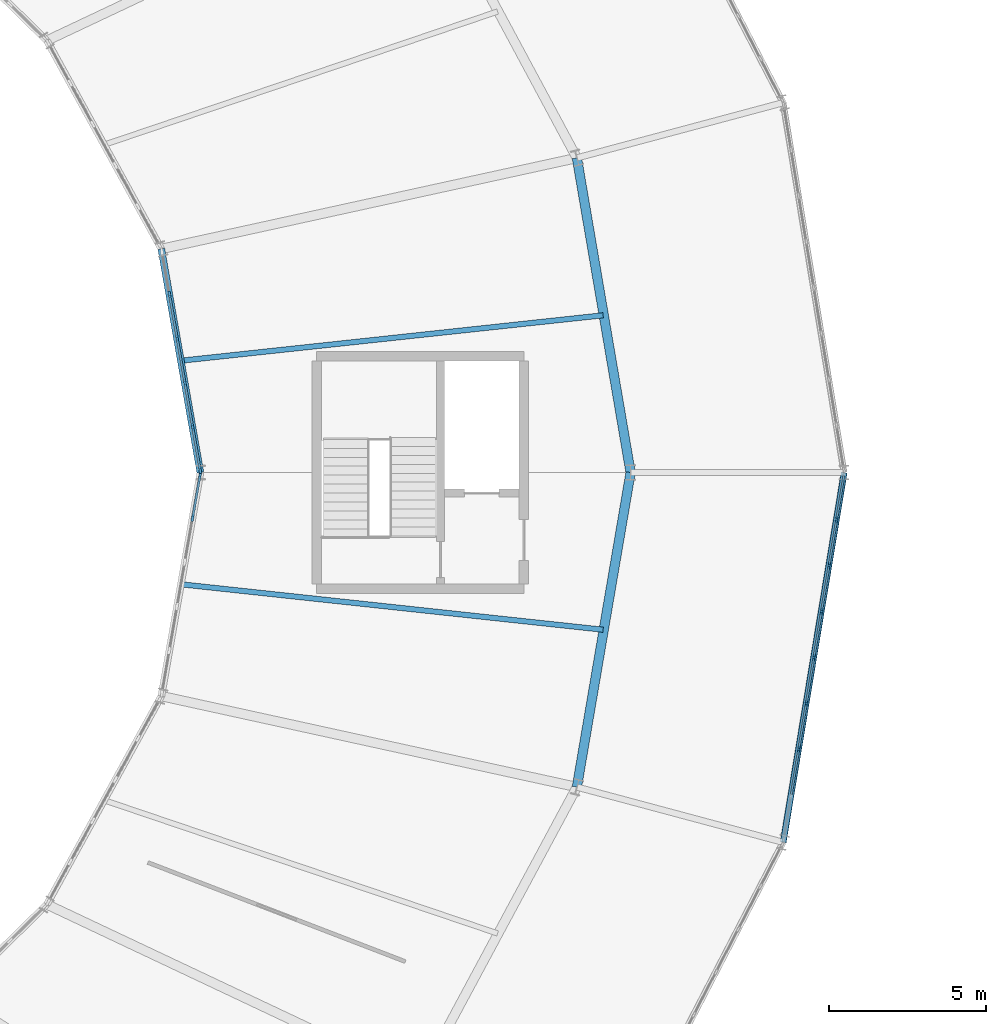
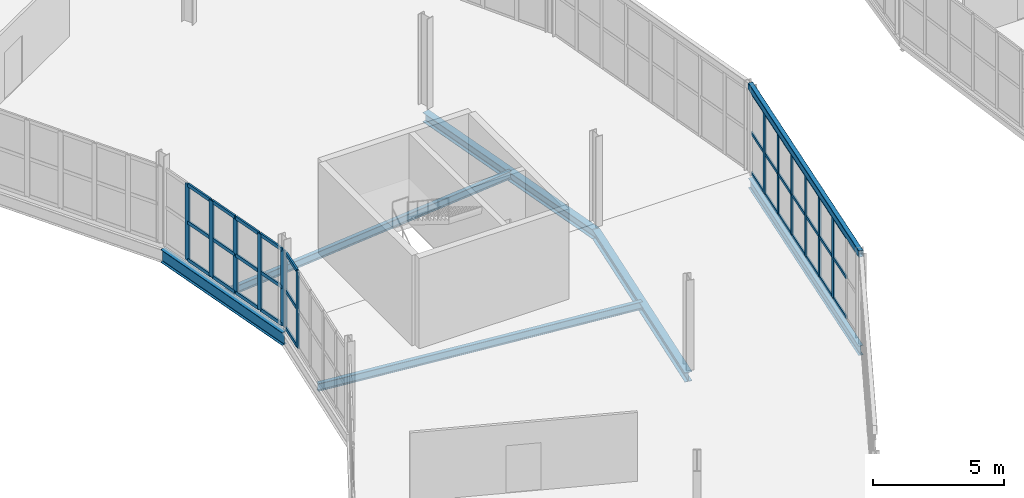
# One storey, part 80 of 161: 49 members, 7 beams, 3 elements without a shape of their own.
"""IFC4 building model written with IfcOpenShell, lengths in metres."""

import ifcopenshell
import ifcopenshell.guid

model = None  # the IFC model being written
_history = None  # IfcOwnerHistory: only IFC2X3 demands one
_inside = {}  # id of a spatial element -> (the spatial element, [elements in it])
_under = {}  # id of a project, library or spatial element -> (it, [spatial elements below it])
_declared = {}  # id of a project -> (the project, [libraries it declares])
_typed = {}  # id of a type object -> (the type object, [elements of that type])
_made_of = {}  # id of a material, layer set ... -> (it, [elements and type objects made of it])


def new_model(schema):
    """Start an empty IFC model of exactly this schema.

    Asked for "IFC4X3", IfcOpenShell would pick the latest addendum, in which some entities
    have other attributes; the version numbers below select the first issue.
    IFC2X3 requires an IfcOwnerHistory on every rooted entity: one is made here for all.
    """
    global model, _history
    if schema == "IFC4X3":
        model = ifcopenshell.file(schema_version=(4, 3, 0, 0))
    else:
        model = ifcopenshell.file(schema=schema)
    _inside.clear()
    _under.clear()
    _declared.clear()
    _typed.clear()
    _made_of.clear()
    _history = None
    if model.schema == "IFC2X3":
        org = make("IfcOrganization", Name="unknown")
        user = make(
            "IfcPersonAndOrganization",
            ThePerson=make("IfcPerson", FamilyName="unknown"),
            TheOrganization=org,
        )
        app = make(
            "IfcApplication",
            ApplicationDeveloper=org,
            Version="unknown",
            ApplicationFullName="unknown",
            ApplicationIdentifier="unknown",
        )
        _history = make(
            "IfcOwnerHistory",
            OwningUser=user,
            OwningApplication=app,
            ChangeAction="ADDED",
            CreationDate=0,
        )
    return model


def make(cls, **values):
    """One entity of the class cls with the attributes given. An attribute that is None is left unset."""
    return model.create_entity(
        cls, **{name: value for name, value in values.items() if value is not None}
    )


def rooted(cls, **values):
    """An entity with a GlobalId (a new one), such as an element, a storey or a relation."""
    return make(cls, GlobalId=ifcopenshell.guid.new(), OwnerHistory=_history, **values)


def si_unit(unit_type, name, prefix=None):
    """IfcSIUnit, for example si_unit("LENGTHUNIT", "METRE", prefix="MILLI")."""
    return make("IfcSIUnit", UnitType=unit_type, Prefix=prefix, Name=name)


def assignment(units):
    """IfcUnitAssignment: the units of a project."""
    return None if units is None else make("IfcUnitAssignment", Units=units)


def point(xyz):
    """IfcCartesianPoint."""
    return None if xyz is None else make("IfcCartesianPoint", Coordinates=xyz)


def direction(xyz):
    """IfcDirection."""
    return None if xyz is None else make("IfcDirection", DirectionRatios=xyz)


def frame(location, z_axis=None, x_axis=None):
    """IfcAxis2Placement3D, a coordinate frame: its origin and axes. An axis left out is left unset."""
    return make(
        "IfcAxis2Placement3D",
        Location=point(location),
        Axis=direction(z_axis),
        RefDirection=direction(x_axis),
    )


def frame_2d(location, x_axis=None):
    """IfcAxis2Placement2D, a coordinate frame in the plane: its origin and x axis."""
    return make(
        "IfcAxis2Placement2D", Location=point(location), RefDirection=direction(x_axis)
    )


def origin():
    """The frame at (0, 0, 0) with its axes left unset."""
    return frame((0.0, 0.0, 0.0))


def origin_2d():
    """The frame at (0, 0) in the plane with its x axis left unset."""
    return frame_2d((0.0, 0.0))


def place(relative_to, where):
    """IfcLocalPlacement: puts the frame where relative to a parent placement (None: the world)."""
    return make(
        "IfcLocalPlacement", PlacementRelTo=relative_to, RelativePlacement=where
    )


def context(
    kind, dimensions, precision=None, world=None, true_north=None, identifier=None
):
    """IfcGeometricRepresentationContext, for example the 3D "Model" context."""
    return make(
        "IfcGeometricRepresentationContext",
        ContextIdentifier=identifier,
        ContextType=kind,
        CoordinateSpaceDimension=dimensions,
        Precision=precision,
        WorldCoordinateSystem=world,
        TrueNorth=true_north,
    )


def subcontext(parent, identifier, kind, view, scale=None):
    """IfcGeometricRepresentationSubContext, for example "Body" below "Model"."""
    return make(
        "IfcGeometricRepresentationSubContext",
        ContextIdentifier=identifier,
        ContextType=kind,
        ParentContext=parent,
        TargetScale=scale,
        TargetView=view,
    )


def project(units=None, contexts=None):
    """IfcProject with its units and contexts."""
    return rooted(
        "IfcProject",
        Name="project",
        RepresentationContexts=contexts,
        UnitsInContext=assignment(units),
    )


def spatial(cls, under=None, at=None, **own):
    """A site, building, storey or space (cls), placed at a placement, below another one or the project."""
    s = rooted(cls, ObjectPlacement=at, **own)
    if under is not None:
        _under.setdefault(under.id(), (under, []))[1].append(s)
    return s


def profile(cls, at=None, kind="AREA", **sizes):
    """A parametric profile (cls). Its sizes go by their IFC names, for example OverallWidth=200.0."""
    return make(cls, ProfileType=kind, Position=at, **sizes)


def rectangle(**sizes):
    """IfcRectangleProfileDef."""
    return profile("IfcRectangleProfileDef", **sizes)


def hollow_rectangle(**sizes):
    """IfcRectangleHollowProfileDef."""
    return profile("IfcRectangleHollowProfileDef", **sizes)


def i_section(**sizes):
    """IfcIShapeProfileDef."""
    return profile("IfcIShapeProfileDef", **sizes)


def extrude(swept, where, along, depth):
    """IfcExtrudedAreaSolid: the profile swept, set in the frame where, extruded along a direction by depth."""
    return make(
        "IfcExtrudedAreaSolid",
        SweptArea=swept,
        Position=where,
        ExtrudedDirection=direction(along),
        Depth=depth,
    )


def shape(context_of_items, identifier, shape_type, items):
    """IfcShapeRepresentation: the items that make up one representation, for example the "Body"."""
    return make(
        "IfcShapeRepresentation",
        ContextOfItems=context_of_items,
        RepresentationIdentifier=identifier,
        RepresentationType=shape_type,
        Items=items,
    )


def material(Name=None, Category=None):
    """IfcMaterial."""
    return make("IfcMaterial", Name=Name, Category=Category)


def material_profile(
    of_material, cross_section, Name=None, Category=None, Priority=None
):
    """IfcMaterialProfile: a cross section and its material."""
    return make(
        "IfcMaterialProfile",
        Name=Name,
        Material=of_material,
        Profile=cross_section,
        Priority=Priority,
        Category=Category,
    )


def profile_set(profiles, Name=None, composite=None):
    """IfcMaterialProfileSet."""
    return make(
        "IfcMaterialProfileSet",
        Name=Name,
        MaterialProfiles=profiles,
        CompositeProfile=composite,
    )


def made_of(thing, what):
    """Note that an element or type object is made of a material, layer set ...; save() writes the relation."""
    if what is not None:
        _made_of.setdefault(what.id(), (what, []))[1].append(thing)
    return thing


def type_object(cls, material=None, **own):
    """A type object (cls), such as IfcWallType, which elements share."""
    return made_of(rooted(cls, **own), material)


def element(
    cls,
    number,
    at=None,
    inside=None,
    cuts=None,
    type_object=None,
    material=None,
    context=None,
    identifier="Body",
    shape_type=None,
    held_by="IfcProductDefinitionShape",
    body=None,
    shapes=None,
    **own,
):
    """One element of the class cls, such as IfcWall. Its Tag is "e" and its number.

    at: its placement. inside: the storey or other place that contains it. cuts: it is an
    opening in that element (IfcRelVoidsElement). A single representation is given by context,
    identifier, shape_type and body (its items); several are given by shapes. held_by: the class
    of the entity that holds the representations. save() writes the other relations.
    """
    e = rooted(cls, Tag="e%d" % number, ObjectPlacement=at, **own)
    if body is not None:
        shapes = [shape(context, identifier, shape_type, body)]
    if shapes is not None:
        e.Representation = make(held_by, Representations=shapes)
    if inside is not None:
        _inside.setdefault(inside.id(), (inside, []))[1].append(e)
    if cuts is not None:
        rooted(
            "IfcRelVoidsElement", RelatingBuildingElement=cuts, RelatedOpeningElement=e
        )
    if type_object is not None:
        _typed.setdefault(type_object.id(), (type_object, []))[1].append(e)
    return made_of(e, material)


def aggregate(whole, parts):
    """IfcRelAggregates: a whole, such as a stair, and the parts it consists of."""
    return rooted("IfcRelAggregates", RelatingObject=whole, RelatedObjects=parts)


def save(model, path):
    """Write the relations noted so far, then the file.

    IfcRelAggregates (storeys below a building ...), IfcRelContainedInSpatialStructure (elements
    in a storey), IfcRelDefinesByType, IfcRelAssociatesMaterial and IfcRelDeclares: one each for
    every whole, place, type object, material and project.
    """
    for whole, parts in _under.values():
        aggregate(whole, parts)
    for where, things in _inside.values():
        rooted(
            "IfcRelContainedInSpatialStructure",
            RelatedElements=things,
            RelatingStructure=where,
        )
    for kind, things in _typed.values():
        rooted("IfcRelDefinesByType", RelatedObjects=things, RelatingType=kind)
    for what, things in _made_of.values():
        rooted("IfcRelAssociatesMaterial", RelatedObjects=things, RelatingMaterial=what)
    for by, libraries in _declared.values():
        rooted("IfcRelDeclares", RelatingContext=by, RelatedDefinitions=libraries)
    model.write(path)


model = new_model("IFC4")

# Units and contexts
model_context = context("Model", 3, precision=1e-05, world=origin(), true_north=direction((0.0, 1.0)))
body_context = subcontext(model_context, "Body", "Model", "MODEL_VIEW")
ifc_project = project(units=[si_unit("LENGTHUNIT", "METRE"), si_unit("AREAUNIT", "SQUARE_METRE"), si_unit("VOLUMEUNIT", "CUBIC_METRE"), si_unit("PLANEANGLEUNIT", "RADIAN"), si_unit("MASSUNIT", "GRAM", prefix="KILO")], contexts=[model_context])

# Site, building, storey
site_placement = place(None, origin())
site = spatial("IfcSite", under=ifc_project, at=site_placement, CompositionType="ELEMENT")
building_placement = place(site_placement, origin())
building = spatial("IfcBuilding", under=site, at=building_placement, Name="Kildeholm Park Wholesale Market", CompositionType="ELEMENT")
storey_placement = place(building_placement, frame((0.0, 0.0, 5.39990234375)))
storey = spatial("IfcBuildingStorey", under=building, at=storey_placement, Name="L01", CompositionType="ELEMENT", Elevation=5.39990234375)

# Beams
ifc_material_1 = material(Name="Steel S355", Category="steel")
ifc_material_profile_1 = material_profile(ifc_material_1, i_section(OverallWidth=0.18994140625, OverallDepth=0.449951171875, WebThickness=0.009521484375, FlangeThickness=0.0146484375, FilletRadius=0.02099609375, at=origin_2d()), Name="IPE 450")
ifc_profile_set_1 = profile_set([ifc_material_profile_1], Name="Steel S355")
beam_type_1 = type_object("IfcBeamType", Name="Beam B-P02 IPE 450", PredefinedType="BEAM", material=ifc_profile_set_1)
beam_1_placement = place(storey_placement, frame((154.05810546875, 77.72412109375, -0.474853515625), z_axis=(0.162706979486, 0.98667443406, 0.0), x_axis=(-0.98667443406, 0.162706979486, 0.0)))
element("IfcBeam", 1, at=beam_1_placement, inside=storey, type_object=beam_type_1, Name="Beam BM-V1-L01-CO-23 BM-0215", PredefinedType="BEAM", context=body_context, shape_type="SweptSolid", body=[
    extrude(i_section(OverallWidth=0.18994140625, OverallDepth=0.449951171875, WebThickness=0.009521484375, FlangeThickness=0.0146484375, FilletRadius=0.02099609375, at=origin_2d()), origin(), (0.0, 0.0, 1.0), 11.934814453125),
])
ifc_material_profile_2 = material_profile(ifc_material_1, i_section(OverallWidth=0.219970703125, OverallDepth=0.60009765625, WebThickness=0.011962890625, FlangeThickness=0.01904296875, FilletRadius=0.02392578125, at=origin_2d()), Name="IPE 600")
ifc_profile_set_2 = profile_set([ifc_material_profile_2], Name="Steel S355")
beam_type_2 = type_object("IfcBeamType", Name="Beam B-P04 IPE 600", PredefinedType="BEAM", material=ifc_profile_set_2)
beam_2_placement = place(storey_placement, frame((135.5, 89.5, -0.5498046875), z_axis=(-0.172146745201, 0.985071316259, 0.0), x_axis=(-0.985071316259, -0.172146745201, 0.0)))
element("IfcBeam", 2, at=beam_2_placement, inside=storey, type_object=beam_type_2, Name="Beam BM-V1-L01-CI-00 BM-0002", PredefinedType="BEAM", context=body_context, shape_type="SweptSolid", body=[
    extrude(i_section(OverallWidth=0.219970703125, OverallDepth=0.60009765625, WebThickness=0.011962890625, FlangeThickness=0.01904296875, FilletRadius=0.02392578125, at=origin_2d()), origin(), (0.0, 0.0, 1.0), 7.225830078125),
])
ifc_material_profile_3 = material_profile(ifc_material_1, i_section(OverallWidth=0.300048828125, OverallDepth=0.43994140625, WebThickness=0.011474609375, FlangeThickness=0.02099609375, FilletRadius=0.027099609375, at=origin_2d()), Name="HEA 450")
ifc_profile_set_3 = profile_set([ifc_material_profile_3], Name="Steel S355")
beam_type_3 = type_object("IfcBeamType", Name="Beam B-R02 HEA 450", PredefinedType="BEAM", material=ifc_profile_set_3)
for number, where, z_axis, x_axis, name in (
    (3, (149.199951171875, 89.5, -0.469970703125), (-0.168379597692, 0.985722228156, 0.0), (-0.985722228156, -0.168379597692, 0.0), "Beam BM-V1-L01-CM-00 BM-0003"),
    (4, (147.489013671875, 79.48388671875, -0.469970703125), (0.168379597692, 0.985722228156, 0.0), (-0.985722228156, 0.168379597692, 0.0), "Beam BM-V1-L01-CM-23 BM-0214"),
):
    element("IfcBeam", number, at=place(storey_placement, frame(where, z_axis=z_axis, x_axis=x_axis)), inside=storey, type_object=beam_type_3, Name=name, PredefinedType="BEAM", context=body_context, shape_type="SweptSolid", body=[
        extrude(i_section(OverallWidth=0.300048828125, OverallDepth=0.43994140625, WebThickness=0.011474609375, FlangeThickness=0.02099609375, FilletRadius=0.027099609375, at=origin_2d()), origin(), (0.0, 0.0, 1.0), 10.1611328125),
    ])
ifc_material_profile_4 = material_profile(ifc_material_1, i_section(OverallWidth=0.169921875, OverallDepth=0.360107421875, WebThickness=0.008056640625, FlangeThickness=0.0126953125, FilletRadius=0.01806640625, at=origin_2d()), Name="IPE 360")
ifc_profile_set_4 = profile_set([ifc_material_profile_4], Name="Steel S355")
beam_type_4 = type_object("IfcBeamType", Name="Beam J-04 IPE 360", PredefinedType="JOIST", material=ifc_profile_set_4)
for number, where, z_axis, x_axis, name in (
    (5, (134.89794921875, 93.06103515625, -0.429931640625), (0.994260078886, 0.106990165591, 0.0), (-0.106990165591, 0.994260078886, 0.0), "Beam JT-V1-L01-00 BM-0007"),
    (6, (134.89794921875, 85.93896484375, -0.429931640625), (0.994260078886, -0.106990165591, 0.0), (0.106990165591, 0.994260078886, 0.0), "Beam JT-V1-L01-23 BM-0218"),
):
    element("IfcBeam", number, at=place(storey_placement, frame(where, z_axis=z_axis, x_axis=x_axis)), inside=storey, type_object=beam_type_4, Name=name, PredefinedType="JOIST", context=body_context, shape_type="SweptSolid", body=[
        extrude(i_section(OverallWidth=0.169921875, OverallDepth=0.360107421875, WebThickness=0.008056640625, FlangeThickness=0.0126953125, FilletRadius=0.01806640625, at=origin_2d()), origin(), (0.0, 0.0, 1.0), 13.504150390625),
    ])
ifc_material_profile_5 = material_profile(ifc_material_1, hollow_rectangle(XDim=0.199951171875, YDim=0.300048828125, WallThickness=0.012451171875, InnerFilletRadius=0.012451171875, OuterFilletRadius=0.02490234375, at=origin_2d()), Name="RHS 300x200x12.5")
ifc_profile_set_5 = profile_set([ifc_material_profile_5], Name="Steel S355")
beam_type_5 = type_object("IfcBeamType", Name="Beam SP-01 RHS 300x200x12.5", PredefinedType="SPANDREL", material=ifc_profile_set_5)
beam_3_placement = place(storey_placement, frame((154.05810546875, 77.72412109375, 4.02294921875), z_axis=(0.162706979486, 0.98667443406, 0.0), x_axis=(-0.98667443406, 0.162706979486, 0.0)))
element("IfcBeam", 7, at=beam_3_placement, inside=storey, type_object=beam_type_5, Name="Beam SP-V1-EAV-23 BM-0358", PredefinedType="SPANDREL", context=body_context, shape_type="SweptSolid", body=[
    extrude(hollow_rectangle(XDim=0.199951171875, YDim=0.300048828125, WallThickness=0.012451171875, InnerFilletRadius=0.012451171875, OuterFilletRadius=0.02490234375, at=origin_2d()), origin(), (0.0, 0.0, 1.0), 11.934814453125),
])

# Curtain wall, members
ifc_material_2 = material(Name="Anodised aluminium and low-E double-glazed glass", Category="aluminium")
curtain_wall_type = type_object("IfcCurtainWallType", Name="Market hall glazed arcade stick curtain wall CW-01", PredefinedType="NOTDEFINED", material=ifc_material_2)
curtain_wall_1_placement = place(storey_placement, origin())
curtain_wall_1 = element("IfcCurtainWall", 8, at=curtain_wall_1_placement, inside=storey, type_object=curtain_wall_type, Name="Curtain wall CW-V1-OT-23-1 CW-0114", PredefinedType="NOTDEFINED")
ifc_material_3 = material(Name="Anodised aluminium", Category="aluminium")
ifc_material_profile_6 = material_profile(ifc_material_3, rectangle(XDim=0.06494140625, YDim=0.179931640625, at=origin_2d()), Name="CWM 65x180")
ifc_profile_set_6 = profile_set([ifc_material_profile_6], Name="Anodised aluminium")
member_type_1 = type_object("IfcMemberType", Name="Curtain-wall mullion CWM-1 CWM 65x180", PredefinedType="MULLION", material=ifc_profile_set_6)
member_1_placement = place(storey_placement, frame((154.55322265625, 80.6865234375, 0.0), z_axis=(0.0, 0.0, 1.0), x_axis=(-0.98667513756, 0.162702713317, 0.0)))
member_1 = element("IfcMember", 9, at=member_1_placement, type_object=member_type_1, Name="CW-01 mullion 3 MEM-3525", PredefinedType="MULLION", context=body_context, shape_type="SweptSolid", body=[
    extrude(rectangle(XDim=0.06494140625, YDim=0.179931640625, at=origin_2d()), origin(), (0.0, 0.0, 1.0), 3.800048828125),
])
member_2_placement = place(storey_placement, frame((154.79443359375, 82.148681640625, 0.0), z_axis=(0.0, 0.0, 1.0), x_axis=(-0.98667513756, 0.162702713317, 0.0)))
member_2 = element("IfcMember", 10, at=member_2_placement, type_object=member_type_1, Name="CW-01 mullion 4 MEM-3526", PredefinedType="MULLION", context=body_context, shape_type="SweptSolid", body=[
    extrude(rectangle(XDim=0.06494140625, YDim=0.179931640625, at=origin_2d()), origin(), (0.0, 0.0, 1.0), 3.800048828125),
])
member_3_placement = place(storey_placement, frame((155.035400390625, 83.611083984375, 0.0), z_axis=(0.0, 0.0, 1.0), x_axis=(-0.98667513756, 0.162702713317, 0.0)))
member_3 = element("IfcMember", 11, at=member_3_placement, type_object=member_type_1, Name="CW-01 mullion 5 MEM-3527", PredefinedType="MULLION", context=body_context, shape_type="SweptSolid", body=[
    extrude(rectangle(XDim=0.06494140625, YDim=0.179931640625, at=origin_2d()), origin(), (0.0, 0.0, 1.0), 3.800048828125),
])
member_4_placement = place(storey_placement, frame((155.276611328125, 85.0732421875, 0.0), z_axis=(0.0, 0.0, 1.0), x_axis=(-0.98667513756, 0.162702713317, 0.0)))
member_4 = element("IfcMember", 12, at=member_4_placement, type_object=member_type_1, Name="CW-01 mullion 6 MEM-3528", PredefinedType="MULLION", context=body_context, shape_type="SweptSolid", body=[
    extrude(rectangle(XDim=0.06494140625, YDim=0.179931640625, at=origin_2d()), origin(), (0.0, 0.0, 1.0), 3.800048828125),
])
member_5_placement = place(storey_placement, frame((155.517822265625, 86.535400390625, 0.0), z_axis=(0.0, 0.0, 1.0), x_axis=(-0.98667513756, 0.162702713317, 0.0)))
member_5 = element("IfcMember", 13, at=member_5_placement, type_object=member_type_1, Name="CW-01 mullion 7 MEM-3529", PredefinedType="MULLION", context=body_context, shape_type="SweptSolid", body=[
    extrude(rectangle(XDim=0.06494140625, YDim=0.179931640625, at=origin_2d()), origin(), (0.0, 0.0, 1.0), 3.800048828125),
])
member_6_placement = place(storey_placement, frame((155.7587890625, 87.997802734375, 0.0), z_axis=(0.0, 0.0, 1.0), x_axis=(-0.98667513756, 0.162702713317, 0.0)))
member_6 = element("IfcMember", 14, at=member_6_placement, type_object=member_type_1, Name="CW-01 mullion 8 MEM-3530", PredefinedType="MULLION", context=body_context, shape_type="SweptSolid", body=[
    extrude(rectangle(XDim=0.06494140625, YDim=0.179931640625, at=origin_2d()), origin(), (0.0, 0.0, 1.0), 3.800048828125),
])

curtain_wall_2_placement = place(storey_placement, origin())
curtain_wall_2 = element("IfcCurtainWall", 15, at=curtain_wall_2_placement, inside=storey, type_object=curtain_wall_type, Name="Curtain wall CW-V1-IN1-00 CW-0004", PredefinedType="NOTDEFINED")
ifc_material_profile_7 = material_profile(ifc_material_3, rectangle(XDim=0.074951171875, YDim=0.219970703125, at=origin_2d()), Name="CWM 75x220")
ifc_profile_set_7 = profile_set([ifc_material_profile_7], Name="Anodised aluminium")
member_type_2 = type_object("IfcMemberType", Name="Curtain-wall mullion CWM-2 CWM 75x220", PredefinedType="MULLION", material=ifc_profile_set_7)
member_7_placement = place(storey_placement, frame((135.49365234375, 89.576904296875, 0.0), z_axis=(0.0, 0.0, 1.0), x_axis=(-0.985073802851, -0.172132515628, 0.0)))
member_7 = element("IfcMember", 16, at=member_7_placement, type_object=member_type_2, Name="CW-01 mullion 1 MEM-0477", PredefinedType="MULLION", context=body_context, shape_type="SweptSolid", body=[
    extrude(rectangle(XDim=0.074951171875, YDim=0.219970703125, at=origin_2d()), origin(), (0.0, 0.0, 1.0), 3.550048828125),
])
member_8_placement = place(storey_placement, frame((135.25390625, 90.94775390625, 0.0), z_axis=(0.0, 0.0, 1.0), x_axis=(-0.985073802851, -0.172132515628, 0.0)))
member_8 = element("IfcMember", 17, at=member_8_placement, type_object=member_type_2, Name="CW-01 mullion 2 MEM-0478", PredefinedType="MULLION", context=body_context, shape_type="SweptSolid", body=[
    extrude(rectangle(XDim=0.074951171875, YDim=0.219970703125, at=origin_2d()), origin(), (0.0, 0.0, 1.0), 3.550048828125),
])
member_9_placement = place(storey_placement, frame((135.008056640625, 92.355712890625, 0.0), z_axis=(0.0, 0.0, 1.0), x_axis=(-0.985073802851, -0.172132515628, 0.0)))
member_9 = element("IfcMember", 18, at=member_9_placement, type_object=member_type_2, Name="CW-01 mullion 3 MEM-0479", PredefinedType="MULLION", context=body_context, shape_type="SweptSolid", body=[
    extrude(rectangle(XDim=0.074951171875, YDim=0.219970703125, at=origin_2d()), origin(), (0.0, 0.0, 1.0), 3.550048828125),
])
member_10_placement = place(storey_placement, frame((134.761962890625, 93.763427734375, 0.0), z_axis=(0.0, 0.0, 1.0), x_axis=(-0.985073802851, -0.172132515628, 0.0)))
member_10 = element("IfcMember", 19, at=member_10_placement, type_object=member_type_2, Name="CW-01 mullion 4 MEM-0480", PredefinedType="MULLION", context=body_context, shape_type="SweptSolid", body=[
    extrude(rectangle(XDim=0.074951171875, YDim=0.219970703125, at=origin_2d()), origin(), (0.0, 0.0, 1.0), 3.550048828125),
])
member_11_placement = place(storey_placement, frame((134.51611328125, 95.171142578125, 0.0), z_axis=(0.0, 0.0, 1.0), x_axis=(-0.985073802851, -0.172132515628, 0.0)))
member_11 = element("IfcMember", 20, at=member_11_placement, type_object=member_type_2, Name="CW-01 mullion 5 MEM-0481", PredefinedType="MULLION", context=body_context, shape_type="SweptSolid", body=[
    extrude(rectangle(XDim=0.074951171875, YDim=0.219970703125, at=origin_2d()), origin(), (0.0, 0.0, 1.0), 3.550048828125),
])

curtain_wall_3_placement = place(storey_placement, origin())
curtain_wall_3 = element("IfcCurtainWall", 21, at=curtain_wall_3_placement, inside=storey, type_object=curtain_wall_type, Name="Curtain wall CW-V1-IN1-23 CW-0117", PredefinedType="NOTDEFINED")
member_12_placement = place(storey_placement, frame((135.25390625, 88.05224609375, 0.0), z_axis=(0.0, 0.0, 1.0), x_axis=(-0.985073802851, 0.172132515628, 0.0)))
member_12 = element("IfcMember", 22, at=member_12_placement, type_object=member_type_2, Name="CW-01 mullion 5 MEM-3610", PredefinedType="MULLION", context=body_context, shape_type="SweptSolid", body=[
    extrude(rectangle(XDim=0.074951171875, YDim=0.219970703125, at=origin_2d()), origin(), (0.0, 0.0, 1.0), 3.550048828125),
])
member_13_placement = place(storey_placement, frame((135.49365234375, 89.423095703125, 0.0), z_axis=(0.0, 0.0, 1.0), x_axis=(-0.985073802851, 0.172132515628, 0.0)))
member_13 = element("IfcMember", 23, at=member_13_placement, type_object=member_type_2, Name="CW-01 mullion 6 MEM-3611", PredefinedType="MULLION", context=body_context, shape_type="SweptSolid", body=[
    extrude(rectangle(XDim=0.074951171875, YDim=0.219970703125, at=origin_2d()), origin(), (0.0, 0.0, 1.0), 3.550048828125),
])

# Member
ifc_material_profile_8 = material_profile(ifc_material_3, rectangle(XDim=0.06494140625, YDim=0.139892578125, at=origin_2d()), Name="CWT 65x140")
ifc_profile_set_8 = profile_set([ifc_material_profile_8], Name="Anodised aluminium")
member_type_3 = type_object("IfcMemberType", Name="Curtain-wall transom CWT-1 CWT 65x140", PredefinedType="USERDEFINED", material=ifc_profile_set_8)
member_14_placement = place(storey_placement, frame((154.3173828125, 79.25634765625, 0.03271484375), z_axis=(0.162638607798, 0.98668570642, 0.0), x_axis=(-0.98668570642, 0.162638607798, 0.0)))
member_14 = element("IfcMember", 24, at=member_14_placement, type_object=member_type_3, Name="CW-01 transom 2.1 MEM-3535", ObjectType="TRANSOM", PredefinedType="USERDEFINED", context=body_context, shape_type="SweptSolid", body=[
    extrude(rectangle(XDim=0.06494140625, YDim=0.139892578125, at=origin_2d()), origin(), (0.0, 0.0, 1.0), 1.4169921875),
])

member_15_placement = place(storey_placement, frame((154.3173828125, 79.25634765625, 1.900146484375), z_axis=(0.162638607798, 0.98668570642, 0.0), x_axis=(-0.98668570642, 0.162638607798, 0.0)))
member_15 = element("IfcMember", 25, at=member_15_placement, type_object=member_type_3, Name="CW-01 transom 2.2 MEM-3536", ObjectType="TRANSOM", PredefinedType="USERDEFINED", context=body_context, shape_type="SweptSolid", body=[
    extrude(rectangle(XDim=0.06494140625, YDim=0.139892578125, at=origin_2d()), origin(), (0.0, 0.0, 1.0), 1.4169921875),
])

member_16_placement = place(storey_placement, frame((154.3173828125, 79.25634765625, 3.767578125), z_axis=(0.162638607798, 0.98668570642, 0.0), x_axis=(-0.98668570642, 0.162638607798, 0.0)))
member_16 = element("IfcMember", 26, at=member_16_placement, type_object=member_type_3, Name="CW-01 transom 2.3 MEM-3537", ObjectType="TRANSOM", PredefinedType="USERDEFINED", context=body_context, shape_type="SweptSolid", body=[
    extrude(rectangle(XDim=0.06494140625, YDim=0.139892578125, at=origin_2d()), origin(), (0.0, 0.0, 1.0), 1.4169921875),
])

member_17_placement = place(storey_placement, frame((154.55859375, 80.718505859375, 0.03271484375), z_axis=(0.162638607798, 0.98668570642, 0.0), x_axis=(-0.98668570642, 0.162638607798, 0.0)))
member_17 = element("IfcMember", 27, at=member_17_placement, type_object=member_type_3, Name="CW-01 transom 3.1 MEM-3538", ObjectType="TRANSOM", PredefinedType="USERDEFINED", context=body_context, shape_type="SweptSolid", body=[
    extrude(rectangle(XDim=0.06494140625, YDim=0.139892578125, at=origin_2d()), origin(), (0.0, 0.0, 1.0), 1.4169921875),
])

member_18_placement = place(storey_placement, frame((154.55859375, 80.718505859375, 1.900146484375), z_axis=(0.162638607798, 0.98668570642, 0.0), x_axis=(-0.98668570642, 0.162638607798, 0.0)))
member_18 = element("IfcMember", 28, at=member_18_placement, type_object=member_type_3, Name="CW-01 transom 3.2 MEM-3539", ObjectType="TRANSOM", PredefinedType="USERDEFINED", context=body_context, shape_type="SweptSolid", body=[
    extrude(rectangle(XDim=0.06494140625, YDim=0.139892578125, at=origin_2d()), origin(), (0.0, 0.0, 1.0), 1.4169921875),
])

member_19_placement = place(storey_placement, frame((154.55859375, 80.718505859375, 3.767578125), z_axis=(0.162638607798, 0.98668570642, 0.0), x_axis=(-0.98668570642, 0.162638607798, 0.0)))
member_19 = element("IfcMember", 29, at=member_19_placement, type_object=member_type_3, Name="CW-01 transom 3.3 MEM-3540", ObjectType="TRANSOM", PredefinedType="USERDEFINED", context=body_context, shape_type="SweptSolid", body=[
    extrude(rectangle(XDim=0.06494140625, YDim=0.139892578125, at=origin_2d()), origin(), (0.0, 0.0, 1.0), 1.4169921875),
])

member_20_placement = place(storey_placement, frame((154.799560546875, 82.180908203125, 0.03271484375), z_axis=(0.162834009189, 0.9866534779, 0.0), x_axis=(-0.9866534779, 0.162834009189, 0.0)))
member_20 = element("IfcMember", 30, at=member_20_placement, type_object=member_type_3, Name="CW-01 transom 4.1 MEM-3541", ObjectType="TRANSOM", PredefinedType="USERDEFINED", context=body_context, shape_type="SweptSolid", body=[
    extrude(rectangle(XDim=0.06494140625, YDim=0.139892578125, at=origin_2d()), origin(), (0.0, 0.0, 1.0), 1.416748046875),
])

member_21_placement = place(storey_placement, frame((154.799560546875, 82.180908203125, 1.900146484375), z_axis=(0.162834009189, 0.9866534779, 0.0), x_axis=(-0.9866534779, 0.162834009189, 0.0)))
member_21 = element("IfcMember", 31, at=member_21_placement, type_object=member_type_3, Name="CW-01 transom 4.2 MEM-3542", ObjectType="TRANSOM", PredefinedType="USERDEFINED", context=body_context, shape_type="SweptSolid", body=[
    extrude(rectangle(XDim=0.06494140625, YDim=0.139892578125, at=origin_2d()), origin(), (0.0, 0.0, 1.0), 1.416748046875),
])

member_22_placement = place(storey_placement, frame((154.799560546875, 82.180908203125, 3.767578125), z_axis=(0.162834009189, 0.9866534779, 0.0), x_axis=(-0.9866534779, 0.162834009189, 0.0)))
member_22 = element("IfcMember", 32, at=member_22_placement, type_object=member_type_3, Name="CW-01 transom 4.3 MEM-3543", ObjectType="TRANSOM", PredefinedType="USERDEFINED", context=body_context, shape_type="SweptSolid", body=[
    extrude(rectangle(XDim=0.06494140625, YDim=0.139892578125, at=origin_2d()), origin(), (0.0, 0.0, 1.0), 1.416748046875),
])

member_23_placement = place(storey_placement, frame((155.040771484375, 83.64306640625, 0.03271484375), z_axis=(0.162638607798, 0.98668570642, 0.0), x_axis=(-0.98668570642, 0.162638607798, 0.0)))
member_23 = element("IfcMember", 33, at=member_23_placement, type_object=member_type_3, Name="CW-01 transom 5.1 MEM-3544", ObjectType="TRANSOM", PredefinedType="USERDEFINED", context=body_context, shape_type="SweptSolid", body=[
    extrude(rectangle(XDim=0.06494140625, YDim=0.139892578125, at=origin_2d()), origin(), (0.0, 0.0, 1.0), 1.4169921875),
])

member_24_placement = place(storey_placement, frame((155.040771484375, 83.64306640625, 1.900146484375), z_axis=(0.162638607798, 0.98668570642, 0.0), x_axis=(-0.98668570642, 0.162638607798, 0.0)))
member_24 = element("IfcMember", 34, at=member_24_placement, type_object=member_type_3, Name="CW-01 transom 5.2 MEM-3545", ObjectType="TRANSOM", PredefinedType="USERDEFINED", context=body_context, shape_type="SweptSolid", body=[
    extrude(rectangle(XDim=0.06494140625, YDim=0.139892578125, at=origin_2d()), origin(), (0.0, 0.0, 1.0), 1.4169921875),
])

member_25_placement = place(storey_placement, frame((155.040771484375, 83.64306640625, 3.767578125), z_axis=(0.162638607798, 0.98668570642, 0.0), x_axis=(-0.98668570642, 0.162638607798, 0.0)))
member_25 = element("IfcMember", 35, at=member_25_placement, type_object=member_type_3, Name="CW-01 transom 5.3 MEM-3546", ObjectType="TRANSOM", PredefinedType="USERDEFINED", context=body_context, shape_type="SweptSolid", body=[
    extrude(rectangle(XDim=0.06494140625, YDim=0.139892578125, at=origin_2d()), origin(), (0.0, 0.0, 1.0), 1.4169921875),
])

member_26_placement = place(storey_placement, frame((155.281982421875, 85.105224609375, 0.03271484375), z_axis=(0.162638607798, 0.98668570642, 0.0), x_axis=(-0.98668570642, 0.162638607798, 0.0)))
member_26 = element("IfcMember", 36, at=member_26_placement, type_object=member_type_3, Name="CW-01 transom 6.1 MEM-3547", ObjectType="TRANSOM", PredefinedType="USERDEFINED", context=body_context, shape_type="SweptSolid", body=[
    extrude(rectangle(XDim=0.06494140625, YDim=0.139892578125, at=origin_2d()), origin(), (0.0, 0.0, 1.0), 1.4169921875),
])

member_27_placement = place(storey_placement, frame((155.281982421875, 85.105224609375, 1.900146484375), z_axis=(0.162638607798, 0.98668570642, 0.0), x_axis=(-0.98668570642, 0.162638607798, 0.0)))
member_27 = element("IfcMember", 37, at=member_27_placement, type_object=member_type_3, Name="CW-01 transom 6.2 MEM-3548", ObjectType="TRANSOM", PredefinedType="USERDEFINED", context=body_context, shape_type="SweptSolid", body=[
    extrude(rectangle(XDim=0.06494140625, YDim=0.139892578125, at=origin_2d()), origin(), (0.0, 0.0, 1.0), 1.4169921875),
])

member_28_placement = place(storey_placement, frame((155.281982421875, 85.105224609375, 3.767578125), z_axis=(0.162638607798, 0.98668570642, 0.0), x_axis=(-0.98668570642, 0.162638607798, 0.0)))
member_28 = element("IfcMember", 38, at=member_28_placement, type_object=member_type_3, Name="CW-01 transom 6.3 MEM-3549", ObjectType="TRANSOM", PredefinedType="USERDEFINED", context=body_context, shape_type="SweptSolid", body=[
    extrude(rectangle(XDim=0.06494140625, YDim=0.139892578125, at=origin_2d()), origin(), (0.0, 0.0, 1.0), 1.4169921875),
])

member_29_placement = place(storey_placement, frame((155.52294921875, 86.567626953125, 0.03271484375), z_axis=(0.162834009189, 0.9866534779, 0.0), x_axis=(-0.9866534779, 0.162834009189, 0.0)))
member_29 = element("IfcMember", 39, at=member_29_placement, type_object=member_type_3, Name="CW-01 transom 7.1 MEM-3550", ObjectType="TRANSOM", PredefinedType="USERDEFINED", context=body_context, shape_type="SweptSolid", body=[
    extrude(rectangle(XDim=0.06494140625, YDim=0.139892578125, at=origin_2d()), origin(), (0.0, 0.0, 1.0), 1.416748046875),
])

member_30_placement = place(storey_placement, frame((155.52294921875, 86.567626953125, 1.900146484375), z_axis=(0.162834009189, 0.9866534779, 0.0), x_axis=(-0.9866534779, 0.162834009189, 0.0)))
member_30 = element("IfcMember", 40, at=member_30_placement, type_object=member_type_3, Name="CW-01 transom 7.2 MEM-3551", ObjectType="TRANSOM", PredefinedType="USERDEFINED", context=body_context, shape_type="SweptSolid", body=[
    extrude(rectangle(XDim=0.06494140625, YDim=0.139892578125, at=origin_2d()), origin(), (0.0, 0.0, 1.0), 1.416748046875),
])

member_31_placement = place(storey_placement, frame((155.52294921875, 86.567626953125, 3.767578125), z_axis=(0.162834009189, 0.9866534779, 0.0), x_axis=(-0.9866534779, 0.162834009189, 0.0)))
member_31 = element("IfcMember", 41, at=member_31_placement, type_object=member_type_3, Name="CW-01 transom 7.3 MEM-3552", ObjectType="TRANSOM", PredefinedType="USERDEFINED", context=body_context, shape_type="SweptSolid", body=[
    extrude(rectangle(XDim=0.06494140625, YDim=0.139892578125, at=origin_2d()), origin(), (0.0, 0.0, 1.0), 1.416748046875),
])

member_32_placement = place(storey_placement, frame((155.76416015625, 88.02978515625, 0.03271484375), z_axis=(0.162768740023, 0.986664247488, 0.0), x_axis=(-0.986664247488, 0.162768740023, 0.0)))
member_32 = element("IfcMember", 42, at=member_32_placement, type_object=member_type_3, Name="CW-01 transom 8.1 MEM-3553", ObjectType="TRANSOM", PredefinedType="USERDEFINED", context=body_context, shape_type="SweptSolid", body=[
    extrude(rectangle(XDim=0.06494140625, YDim=0.139892578125, at=origin_2d()), origin(), (0.0, 0.0, 1.0), 1.384521484375),
])

member_33_placement = place(storey_placement, frame((155.76416015625, 88.02978515625, 1.900146484375), z_axis=(0.162768740023, 0.986664247488, 0.0), x_axis=(-0.986664247488, 0.162768740023, 0.0)))
member_33 = element("IfcMember", 43, at=member_33_placement, type_object=member_type_3, Name="CW-01 transom 8.2 MEM-3554", ObjectType="TRANSOM", PredefinedType="USERDEFINED", context=body_context, shape_type="SweptSolid", body=[
    extrude(rectangle(XDim=0.06494140625, YDim=0.139892578125, at=origin_2d()), origin(), (0.0, 0.0, 1.0), 1.384521484375),
])

member_34_placement = place(storey_placement, frame((155.76416015625, 88.02978515625, 3.767578125), z_axis=(0.162768740023, 0.986664247488, 0.0), x_axis=(-0.986664247488, 0.162768740023, 0.0)))
member_34 = element("IfcMember", 44, at=member_34_placement, type_object=member_type_3, Name="CW-01 transom 8.3 MEM-3555", ObjectType="TRANSOM", PredefinedType="USERDEFINED", context=body_context, shape_type="SweptSolid", body=[
    extrude(rectangle(XDim=0.06494140625, YDim=0.139892578125, at=origin_2d()), origin(), (0.0, 0.0, 1.0), 1.384521484375),
])

aggregate(curtain_wall_1, [member_1, member_2, member_3, member_4, member_5, member_6, member_14, member_15, member_16, member_17, member_18, member_19, member_20, member_21, member_22, member_23, member_24, member_25, member_26, member_27, member_28, member_29, member_30, member_31, member_32, member_33, member_34])

ifc_material_profile_9 = material_profile(ifc_material_3, rectangle(XDim=0.074951171875, YDim=0.159912109375, at=origin_2d()), Name="CWT 75x160")
ifc_profile_set_9 = profile_set([ifc_material_profile_9], Name="Anodised aluminium")
member_type_4 = type_object("IfcMemberType", Name="Curtain-wall transom CWT-2 CWT 75x160", PredefinedType="USERDEFINED", material=ifc_profile_set_9)
member_35_placement = place(storey_placement, frame((135.487060546875, 89.61376953125, 0.03759765625), z_axis=(-0.172060998264, 0.985086297172, 0.0), x_axis=(-0.985086297172, -0.172060998264, 0.0)))
member_35 = element("IfcMember", 45, at=member_35_placement, type_object=member_type_4, Name="CW-01 transom 1.1 MEM-0483", ObjectType="TRANSOM", PredefinedType="USERDEFINED", context=body_context, shape_type="SweptSolid", body=[
    extrude(rectangle(XDim=0.074951171875, YDim=0.159912109375, at=origin_2d()), origin(), (0.0, 0.0, 1.0), 1.316650390625),
])

member_36_placement = place(storey_placement, frame((135.487060546875, 89.61376953125, 1.775146484375), z_axis=(-0.172060998264, 0.985086297172, 0.0), x_axis=(-0.985086297172, -0.172060998264, 0.0)))
member_36 = element("IfcMember", 46, at=member_36_placement, type_object=member_type_4, Name="CW-01 transom 1.2 MEM-0484", ObjectType="TRANSOM", PredefinedType="USERDEFINED", context=body_context, shape_type="SweptSolid", body=[
    extrude(rectangle(XDim=0.074951171875, YDim=0.159912109375, at=origin_2d()), origin(), (0.0, 0.0, 1.0), 1.316650390625),
])

member_37_placement = place(storey_placement, frame((135.487060546875, 89.61376953125, 3.5126953125), z_axis=(-0.172060998264, 0.985086297172, 0.0), x_axis=(-0.985086297172, -0.172060998264, 0.0)))
member_37 = element("IfcMember", 47, at=member_37_placement, type_object=member_type_4, Name="CW-01 transom 1.3 MEM-0485", ObjectType="TRANSOM", PredefinedType="USERDEFINED", context=body_context, shape_type="SweptSolid", body=[
    extrude(rectangle(XDim=0.074951171875, YDim=0.159912109375, at=origin_2d()), origin(), (0.0, 0.0, 1.0), 1.316650390625),
])

member_38_placement = place(storey_placement, frame((135.24755859375, 90.984619140625, 0.03759765625), z_axis=(-0.17217041658, 0.98506717926, 0.0), x_axis=(-0.98506717926, -0.17217041658, 0.0)))
member_38 = element("IfcMember", 48, at=member_38_placement, type_object=member_type_4, Name="CW-01 transom 2.1 MEM-0486", ObjectType="TRANSOM", PredefinedType="USERDEFINED", context=body_context, shape_type="SweptSolid", body=[
    extrude(rectangle(XDim=0.074951171875, YDim=0.159912109375, at=origin_2d()), origin(), (0.0, 0.0, 1.0), 1.354248046875),
])

member_39_placement = place(storey_placement, frame((135.24755859375, 90.984619140625, 1.775146484375), z_axis=(-0.17217041658, 0.98506717926, 0.0), x_axis=(-0.98506717926, -0.17217041658, 0.0)))
member_39 = element("IfcMember", 49, at=member_39_placement, type_object=member_type_4, Name="CW-01 transom 2.2 MEM-0487", ObjectType="TRANSOM", PredefinedType="USERDEFINED", context=body_context, shape_type="SweptSolid", body=[
    extrude(rectangle(XDim=0.074951171875, YDim=0.159912109375, at=origin_2d()), origin(), (0.0, 0.0, 1.0), 1.354248046875),
])

member_40_placement = place(storey_placement, frame((135.24755859375, 90.984619140625, 3.5126953125), z_axis=(-0.17217041658, 0.98506717926, 0.0), x_axis=(-0.98506717926, -0.17217041658, 0.0)))
member_40 = element("IfcMember", 50, at=member_40_placement, type_object=member_type_4, Name="CW-01 transom 2.3 MEM-0488", ObjectType="TRANSOM", PredefinedType="USERDEFINED", context=body_context, shape_type="SweptSolid", body=[
    extrude(rectangle(XDim=0.074951171875, YDim=0.159912109375, at=origin_2d()), origin(), (0.0, 0.0, 1.0), 1.354248046875),
])

member_41_placement = place(storey_placement, frame((135.00146484375, 92.392578125, 0.03759765625), z_axis=(-0.17199546935, 0.985097740594, 0.0), x_axis=(-0.985097740594, -0.17199546935, 0.0)))
member_41 = element("IfcMember", 51, at=member_41_placement, type_object=member_type_4, Name="CW-01 transom 3.1 MEM-0489", ObjectType="TRANSOM", PredefinedType="USERDEFINED", context=body_context, shape_type="SweptSolid", body=[
    extrude(rectangle(XDim=0.074951171875, YDim=0.159912109375, at=origin_2d()), origin(), (0.0, 0.0, 1.0), 1.354248046875),
])

member_42_placement = place(storey_placement, frame((135.00146484375, 92.392578125, 1.775146484375), z_axis=(-0.17199546935, 0.985097740594, 0.0), x_axis=(-0.985097740594, -0.17199546935, 0.0)))
member_42 = element("IfcMember", 52, at=member_42_placement, type_object=member_type_4, Name="CW-01 transom 3.2 MEM-0490", ObjectType="TRANSOM", PredefinedType="USERDEFINED", context=body_context, shape_type="SweptSolid", body=[
    extrude(rectangle(XDim=0.074951171875, YDim=0.159912109375, at=origin_2d()), origin(), (0.0, 0.0, 1.0), 1.354248046875),
])

member_43_placement = place(storey_placement, frame((135.00146484375, 92.392578125, 3.5126953125), z_axis=(-0.17199546935, 0.985097740594, 0.0), x_axis=(-0.985097740594, -0.17199546935, 0.0)))
member_43 = element("IfcMember", 53, at=member_43_placement, type_object=member_type_4, Name="CW-01 transom 3.3 MEM-0491", ObjectType="TRANSOM", PredefinedType="USERDEFINED", context=body_context, shape_type="SweptSolid", body=[
    extrude(rectangle(XDim=0.074951171875, YDim=0.159912109375, at=origin_2d()), origin(), (0.0, 0.0, 1.0), 1.354248046875),
])

member_44_placement = place(storey_placement, frame((134.755615234375, 93.80029296875, 0.03759765625), z_axis=(-0.17217041658, 0.98506717926, 0.0), x_axis=(-0.98506717926, -0.17217041658, 0.0)))
member_44 = element("IfcMember", 54, at=member_44_placement, type_object=member_type_4, Name="CW-01 transom 4.1 MEM-0492", ObjectType="TRANSOM", PredefinedType="USERDEFINED", context=body_context, shape_type="SweptSolid", body=[
    extrude(rectangle(XDim=0.074951171875, YDim=0.159912109375, at=origin_2d()), origin(), (0.0, 0.0, 1.0), 1.354248046875),
])

member_45_placement = place(storey_placement, frame((134.755615234375, 93.80029296875, 1.775146484375), z_axis=(-0.17217041658, 0.98506717926, 0.0), x_axis=(-0.98506717926, -0.17217041658, 0.0)))
member_45 = element("IfcMember", 55, at=member_45_placement, type_object=member_type_4, Name="CW-01 transom 4.2 MEM-0493", ObjectType="TRANSOM", PredefinedType="USERDEFINED", context=body_context, shape_type="SweptSolid", body=[
    extrude(rectangle(XDim=0.074951171875, YDim=0.159912109375, at=origin_2d()), origin(), (0.0, 0.0, 1.0), 1.354248046875),
])

member_46_placement = place(storey_placement, frame((134.755615234375, 93.80029296875, 3.5126953125), z_axis=(-0.17217041658, 0.98506717926, 0.0), x_axis=(-0.98506717926, -0.17217041658, 0.0)))
member_46 = element("IfcMember", 56, at=member_46_placement, type_object=member_type_4, Name="CW-01 transom 4.3 MEM-0494", ObjectType="TRANSOM", PredefinedType="USERDEFINED", context=body_context, shape_type="SweptSolid", body=[
    extrude(rectangle(XDim=0.074951171875, YDim=0.159912109375, at=origin_2d()), origin(), (0.0, 0.0, 1.0), 1.354248046875),
])

aggregate(curtain_wall_2, [member_7, member_8, member_9, member_10, member_11, member_35, member_36, member_37, member_38, member_39, member_40, member_41, member_42, member_43, member_44, member_45, member_46])

member_47_placement = place(storey_placement, frame((135.260498046875, 88.089111328125, 0.03759765625), z_axis=(0.172060998264, 0.985086297172, 0.0), x_axis=(-0.985086297172, 0.172060998264, 0.0)))
member_47 = element("IfcMember", 57, at=member_47_placement, type_object=member_type_4, Name="CW-01 transom 5.1 MEM-3624", ObjectType="TRANSOM", PredefinedType="USERDEFINED", context=body_context, shape_type="SweptSolid", body=[
    extrude(rectangle(XDim=0.074951171875, YDim=0.159912109375, at=origin_2d()), origin(), (0.0, 0.0, 1.0), 1.316650390625),
])

member_48_placement = place(storey_placement, frame((135.260498046875, 88.089111328125, 1.775146484375), z_axis=(0.172060998264, 0.985086297172, 0.0), x_axis=(-0.985086297172, 0.172060998264, 0.0)))
member_48 = element("IfcMember", 58, at=member_48_placement, type_object=member_type_4, Name="CW-01 transom 5.2 MEM-3625", ObjectType="TRANSOM", PredefinedType="USERDEFINED", context=body_context, shape_type="SweptSolid", body=[
    extrude(rectangle(XDim=0.074951171875, YDim=0.159912109375, at=origin_2d()), origin(), (0.0, 0.0, 1.0), 1.316650390625),
])

member_49_placement = place(storey_placement, frame((135.260498046875, 88.089111328125, 3.5126953125), z_axis=(0.172060998264, 0.985086297172, 0.0), x_axis=(-0.985086297172, 0.172060998264, 0.0)))
member_49 = element("IfcMember", 59, at=member_49_placement, type_object=member_type_4, Name="CW-01 transom 5.3 MEM-3626", ObjectType="TRANSOM", PredefinedType="USERDEFINED", context=body_context, shape_type="SweptSolid", body=[
    extrude(rectangle(XDim=0.074951171875, YDim=0.159912109375, at=origin_2d()), origin(), (0.0, 0.0, 1.0), 1.316650390625),
])

aggregate(curtain_wall_3, [member_12, member_13, member_47, member_48, member_49])

save(model, "model.ifc")
